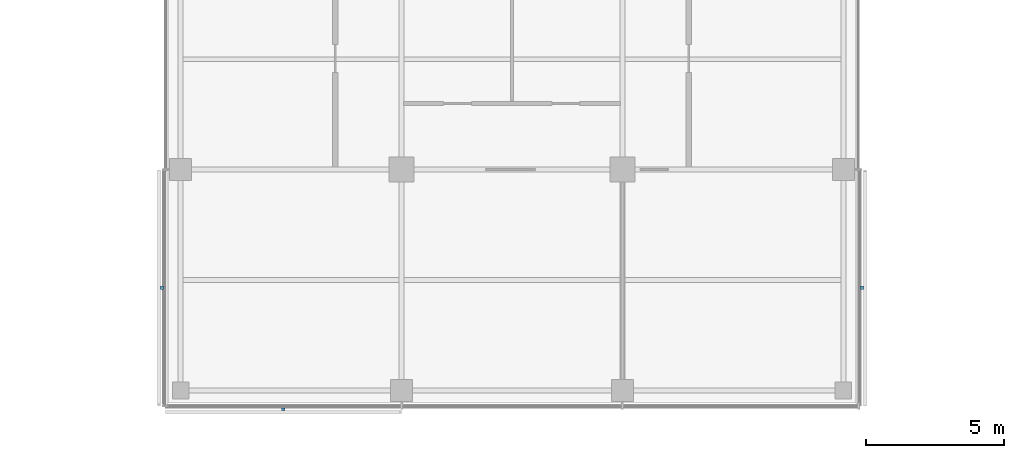
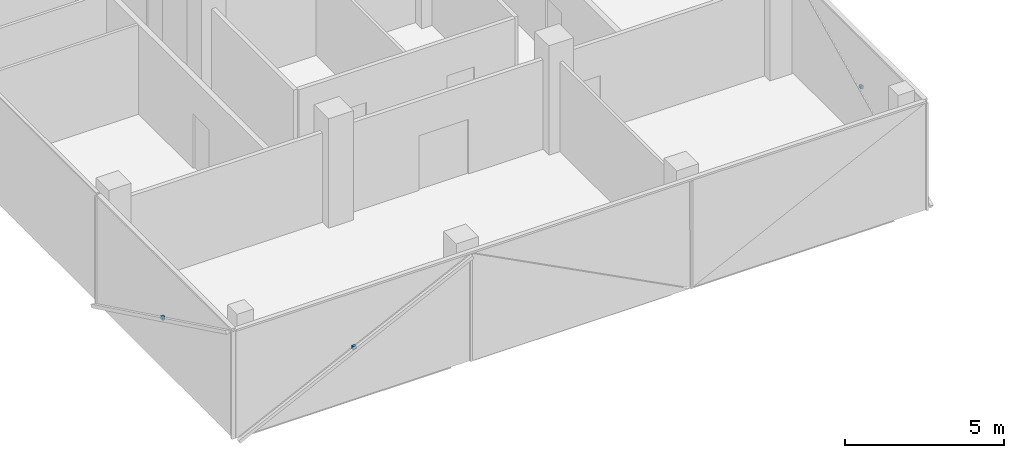
# One storey, part 16 of 18: 3 discrete accessories.
"""IFC4 building model written with IfcOpenShell, lengths in metres."""

from ifc_helpers import new_model, si_unit, direction, frame, origin, origin_2d, place, context, subcontext, project, spatial, rectangle, extrude, material, type_object, element, save


model = new_model("IFC4")

# Units and contexts
model_context = context("Model", 3, precision=1e-05, world=origin(), true_north=direction((0.0, 1.0)))
body_context = subcontext(model_context, "Body", "Model", "MODEL_VIEW")
ifc_project = project(units=[si_unit("LENGTHUNIT", "METRE"), si_unit("AREAUNIT", "SQUARE_METRE"), si_unit("VOLUMEUNIT", "CUBIC_METRE"), si_unit("PLANEANGLEUNIT", "RADIAN"), si_unit("MASSUNIT", "GRAM", prefix="KILO")], contexts=[model_context])

# Site, building, storey
site_placement = place(None, origin())
site = spatial("IfcSite", under=ifc_project, at=site_placement, CompositionType="ELEMENT")
building_placement = place(site_placement, origin())
building = spatial("IfcBuilding", under=site, at=building_placement, Name="Crosswind Convention Tower", CompositionType="ELEMENT")
storey_placement = place(building_placement, frame((0.0, 0.0, 178.89990234375)))
storey = spatial("IfcBuildingStorey", under=building, at=storey_placement, Name="L37", CompositionType="ELEMENT", Elevation=178.89990234375)

# Discrete accessories
ifc_material = material(Name="Stainless steel", Category="steel")
discrete_accessory_type = type_object("IfcDiscreteAccessoryType", Name="BAGUETTE BRACKET BK3", PredefinedType="BRACKET", material=ifc_material)
for number, where, z_axis, x_axis, name in (
    (1, (112.323974609375, 75.719970703125, 1.705078125), (0.0, 0.0, 1.0), (0.0, -1.0, 0.0), "BK3 baguette bracket"),
    (2, (116.719970703125, 71.323974609375, 1.705078125), (0.0, 0.0, 1.0), (1.0, 0.0, 0.0), "BK3 baguette bracket"),
    (3, (137.676025390625, 75.719970703125, 1.705078125), (0.0, 0.0, 1.0), (0.0, 1.0, 0.0), "BK3 baguette bracket"),
):
    element("IfcDiscreteAccessory", number, at=place(storey_placement, frame(where, z_axis=z_axis, x_axis=x_axis)), inside=storey, type_object=discrete_accessory_type, Name=name, PredefinedType="BRACKET", context=body_context, shape_type="SweptSolid", body=[
        extrude(rectangle(XDim=0.1201171875, YDim=0.10009765625, at=origin_2d()), origin(), (0.0, 0.0, 1.0), 0.1201171875),
    ])

save(model, "model.ifc")
